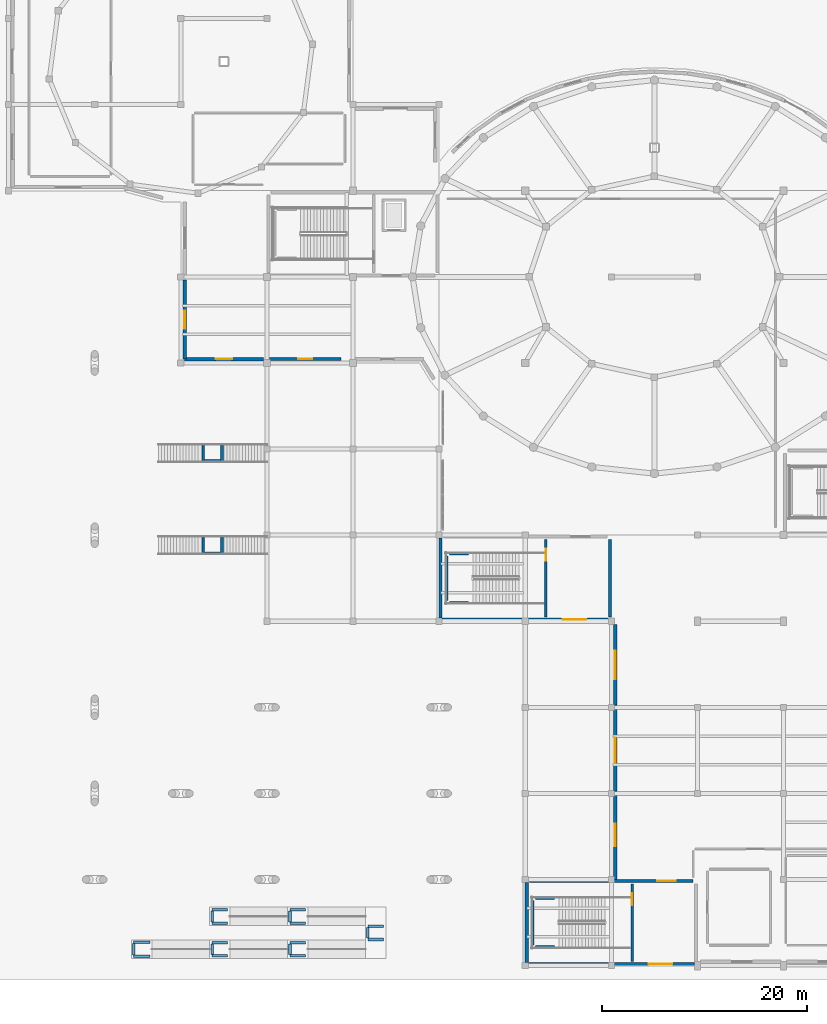
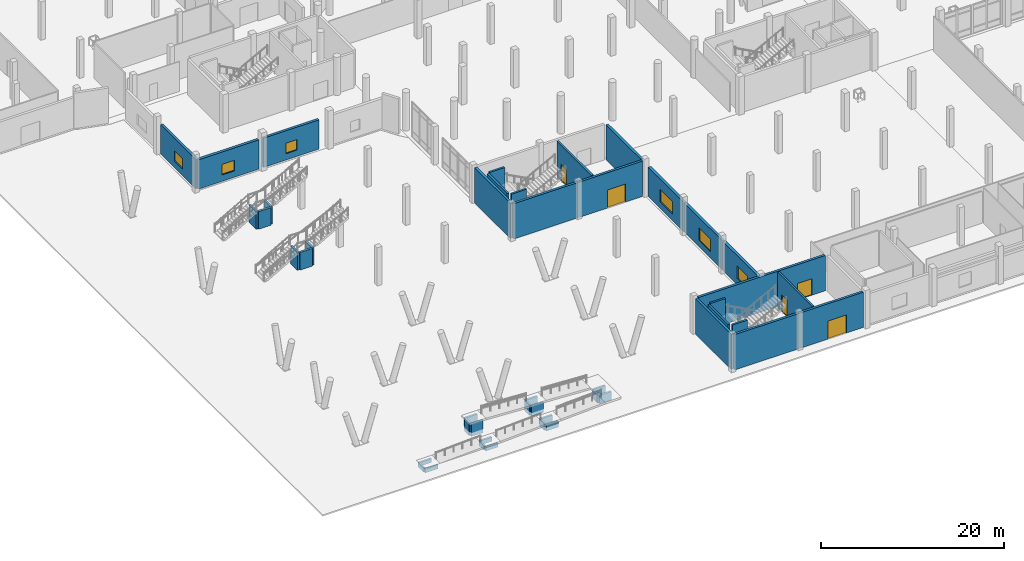
# One storey, part 44 of 64: 44 walls, 6 windows, 5 doors, 11 openings.
"""IFC4 building model written with IfcOpenShell, lengths in metres."""

import ifcopenshell
import ifcopenshell.guid

model = None  # the IFC model being written
_history = None  # IfcOwnerHistory: only IFC2X3 demands one
_inside = {}  # id of a spatial element -> (the spatial element, [elements in it])
_under = {}  # id of a project, library or spatial element -> (it, [spatial elements below it])
_declared = {}  # id of a project -> (the project, [libraries it declares])
_typed = {}  # id of a type object -> (the type object, [elements of that type])
_made_of = {}  # id of a material, layer set ... -> (it, [elements and type objects made of it])


def new_model(schema):
    """Start an empty IFC model of exactly this schema.

    Asked for "IFC4X3", IfcOpenShell would pick the latest addendum, in which some entities
    have other attributes; the version numbers below select the first issue.
    IFC2X3 requires an IfcOwnerHistory on every rooted entity: one is made here for all.
    """
    global model, _history
    if schema == "IFC4X3":
        model = ifcopenshell.file(schema_version=(4, 3, 0, 0))
    else:
        model = ifcopenshell.file(schema=schema)
    _inside.clear()
    _under.clear()
    _declared.clear()
    _typed.clear()
    _made_of.clear()
    _history = None
    if model.schema == "IFC2X3":
        org = make("IfcOrganization", Name="unknown")
        user = make(
            "IfcPersonAndOrganization",
            ThePerson=make("IfcPerson", FamilyName="unknown"),
            TheOrganization=org,
        )
        app = make(
            "IfcApplication",
            ApplicationDeveloper=org,
            Version="unknown",
            ApplicationFullName="unknown",
            ApplicationIdentifier="unknown",
        )
        _history = make(
            "IfcOwnerHistory",
            OwningUser=user,
            OwningApplication=app,
            ChangeAction="ADDED",
            CreationDate=0,
        )
    return model


def make(cls, **values):
    """One entity of the class cls with the attributes given. An attribute that is None is left unset."""
    return model.create_entity(
        cls, **{name: value for name, value in values.items() if value is not None}
    )


def rooted(cls, **values):
    """An entity with a GlobalId (a new one), such as an element, a storey or a relation."""
    return make(cls, GlobalId=ifcopenshell.guid.new(), OwnerHistory=_history, **values)


def si_unit(unit_type, name, prefix=None):
    """IfcSIUnit, for example si_unit("LENGTHUNIT", "METRE", prefix="MILLI")."""
    return make("IfcSIUnit", UnitType=unit_type, Prefix=prefix, Name=name)


def derived_unit(unit_type, elements):
    """IfcDerivedUnit: a product of units, each with its exponent."""
    return make(
        "IfcDerivedUnit",
        Elements=[
            make("IfcDerivedUnitElement", Unit=unit, Exponent=power)
            for unit, power in elements
        ],
        UnitType=unit_type,
    )


def assignment(units):
    """IfcUnitAssignment: the units of a project."""
    return None if units is None else make("IfcUnitAssignment", Units=units)


def point(xyz):
    """IfcCartesianPoint."""
    return None if xyz is None else make("IfcCartesianPoint", Coordinates=xyz)


def direction(xyz):
    """IfcDirection."""
    return None if xyz is None else make("IfcDirection", DirectionRatios=xyz)


def frame(location, z_axis=None, x_axis=None):
    """IfcAxis2Placement3D, a coordinate frame: its origin and axes. An axis left out is left unset."""
    return make(
        "IfcAxis2Placement3D",
        Location=point(location),
        Axis=direction(z_axis),
        RefDirection=direction(x_axis),
    )


def frame_2d(location, x_axis=None):
    """IfcAxis2Placement2D, a coordinate frame in the plane: its origin and x axis."""
    return make(
        "IfcAxis2Placement2D", Location=point(location), RefDirection=direction(x_axis)
    )


def origin():
    """The frame at (0, 0, 0) with its axes left unset."""
    return frame((0.0, 0.0, 0.0))


def place(relative_to, where):
    """IfcLocalPlacement: puts the frame where relative to a parent placement (None: the world)."""
    return make(
        "IfcLocalPlacement", PlacementRelTo=relative_to, RelativePlacement=where
    )


def context(
    kind, dimensions, precision=None, world=None, true_north=None, identifier=None
):
    """IfcGeometricRepresentationContext, for example the 3D "Model" context."""
    return make(
        "IfcGeometricRepresentationContext",
        ContextIdentifier=identifier,
        ContextType=kind,
        CoordinateSpaceDimension=dimensions,
        Precision=precision,
        WorldCoordinateSystem=world,
        TrueNorth=true_north,
    )


def subcontext(parent, identifier, kind, view, scale=None):
    """IfcGeometricRepresentationSubContext, for example "Body" below "Model"."""
    return make(
        "IfcGeometricRepresentationSubContext",
        ContextIdentifier=identifier,
        ContextType=kind,
        ParentContext=parent,
        TargetScale=scale,
        TargetView=view,
    )


def project(units=None, contexts=None):
    """IfcProject with its units and contexts."""
    return rooted(
        "IfcProject",
        Name="project",
        RepresentationContexts=contexts,
        UnitsInContext=assignment(units),
    )


def spatial(cls, under=None, at=None, **own):
    """A site, building, storey or space (cls), placed at a placement, below another one or the project."""
    s = rooted(cls, ObjectPlacement=at, **own)
    if under is not None:
        _under.setdefault(under.id(), (under, []))[1].append(s)
    return s


def profile(cls, at=None, kind="AREA", **sizes):
    """A parametric profile (cls). Its sizes go by their IFC names, for example OverallWidth=200.0."""
    return make(cls, ProfileType=kind, Position=at, **sizes)


def rectangle(**sizes):
    """IfcRectangleProfileDef."""
    return profile("IfcRectangleProfileDef", **sizes)


def extrude(swept, where, along, depth):
    """IfcExtrudedAreaSolid: the profile swept, set in the frame where, extruded along a direction by depth."""
    return make(
        "IfcExtrudedAreaSolid",
        SweptArea=swept,
        Position=where,
        ExtrudedDirection=direction(along),
        Depth=depth,
    )


def shape(context_of_items, identifier, shape_type, items):
    """IfcShapeRepresentation: the items that make up one representation, for example the "Body"."""
    return make(
        "IfcShapeRepresentation",
        ContextOfItems=context_of_items,
        RepresentationIdentifier=identifier,
        RepresentationType=shape_type,
        Items=items,
    )


def material(Name=None, Category=None):
    """IfcMaterial."""
    return make("IfcMaterial", Name=Name, Category=Category)


def layer(
    of_material, thickness, ventilated=None, Name=None, Category=None, Priority=None
):
    """IfcMaterialLayer: one layer of a wall or slab, of a material (None: an air gap)."""
    return make(
        "IfcMaterialLayer",
        Material=of_material,
        LayerThickness=thickness,
        IsVentilated=ventilated,
        Name=Name,
        Category=Category,
        Priority=Priority,
    )


def layer_set(layers, Name=None):
    """IfcMaterialLayerSet."""
    return make("IfcMaterialLayerSet", MaterialLayers=layers, LayerSetName=Name)


def made_of(thing, what):
    """Note that an element or type object is made of a material, layer set ...; save() writes the relation."""
    if what is not None:
        _made_of.setdefault(what.id(), (what, []))[1].append(thing)
    return thing


def type_object(cls, material=None, **own):
    """A type object (cls), such as IfcWallType, which elements share."""
    return made_of(rooted(cls, **own), material)


def element(
    cls,
    number,
    at=None,
    inside=None,
    cuts=None,
    type_object=None,
    material=None,
    context=None,
    identifier="Body",
    shape_type=None,
    held_by="IfcProductDefinitionShape",
    body=None,
    shapes=None,
    **own,
):
    """One element of the class cls, such as IfcWall. Its Tag is "e" and its number.

    at: its placement. inside: the storey or other place that contains it. cuts: it is an
    opening in that element (IfcRelVoidsElement). A single representation is given by context,
    identifier, shape_type and body (its items); several are given by shapes. held_by: the class
    of the entity that holds the representations. save() writes the other relations.
    """
    e = rooted(cls, Tag="e%d" % number, ObjectPlacement=at, **own)
    if body is not None:
        shapes = [shape(context, identifier, shape_type, body)]
    if shapes is not None:
        e.Representation = make(held_by, Representations=shapes)
    if inside is not None:
        _inside.setdefault(inside.id(), (inside, []))[1].append(e)
    if cuts is not None:
        rooted(
            "IfcRelVoidsElement", RelatingBuildingElement=cuts, RelatedOpeningElement=e
        )
    if type_object is not None:
        _typed.setdefault(type_object.id(), (type_object, []))[1].append(e)
    return made_of(e, material)


def fill(opening, filler):
    """IfcRelFillsElement: the door or window that sits in an opening."""
    return rooted(
        "IfcRelFillsElement",
        RelatingOpeningElement=opening,
        RelatedBuildingElement=filler,
    )


def aggregate(whole, parts):
    """IfcRelAggregates: a whole, such as a stair, and the parts it consists of."""
    return rooted("IfcRelAggregates", RelatingObject=whole, RelatedObjects=parts)


def save(model, path):
    """Write the relations noted so far, then the file.

    IfcRelAggregates (storeys below a building ...), IfcRelContainedInSpatialStructure (elements
    in a storey), IfcRelDefinesByType, IfcRelAssociatesMaterial and IfcRelDeclares: one each for
    every whole, place, type object, material and project.
    """
    for whole, parts in _under.values():
        aggregate(whole, parts)
    for where, things in _inside.values():
        rooted(
            "IfcRelContainedInSpatialStructure",
            RelatedElements=things,
            RelatingStructure=where,
        )
    for kind, things in _typed.values():
        rooted("IfcRelDefinesByType", RelatedObjects=things, RelatingType=kind)
    for what, things in _made_of.values():
        rooted("IfcRelAssociatesMaterial", RelatedObjects=things, RelatingMaterial=what)
    for by, libraries in _declared.values():
        rooted("IfcRelDeclares", RelatingContext=by, RelatedDefinitions=libraries)
    model.write(path)


model = new_model("IFC4")

# Units and contexts
model_context = context("Model", 3, precision=1e-05, world=origin(), true_north=direction((0.0, 1.0)))
body_context = subcontext(model_context, "Body", "Model", "MODEL_VIEW")
ifc_project = project(units=[si_unit("LENGTHUNIT", "METRE"), si_unit("AREAUNIT", "SQUARE_METRE"), si_unit("VOLUMEUNIT", "CUBIC_METRE"), si_unit("PLANEANGLEUNIT", "RADIAN"), si_unit("MASSUNIT", "GRAM", prefix="KILO"), derived_unit("THERMALTRANSMITTANCEUNIT", [(si_unit("POWERUNIT", "WATT"), 1), (si_unit("LENGTHUNIT", "METRE"), -2), (si_unit("THERMODYNAMICTEMPERATUREUNIT", "KELVIN"), -1)])], contexts=[model_context])

# Site, building, storey
site_placement = place(None, origin())
site = spatial("IfcSite", under=ifc_project, at=site_placement, CompositionType="ELEMENT")
building_placement = place(site_placement, origin())
building = spatial("IfcBuilding", under=site, at=building_placement, Name="Elbkamm Science Centre", CompositionType="ELEMENT")
storey_placement = place(building_placement, origin())
storey = spatial("IfcBuildingStorey", under=building, at=storey_placement, Name="L00", CompositionType="ELEMENT", Elevation=0.0)

# Walls
ifc_material_1 = material(Name="Reinforced concrete C40/50", Category="concrete")
ifc_layer_1 = layer(ifc_material_1, 0.25)
ifc_layer_set_1 = layer_set([ifc_layer_1], Name="Reinforced concrete C40/50")
wall_type_1 = type_object("IfcWallType", Name="WL-CORE-250", PredefinedType="SHEAR", material=ifc_layer_set_1)
wall_1_placement = place(storey_placement, frame((42.739990234375, 35.6201171875, 0.0), z_axis=(0.0, 0.0, 1.0), x_axis=(0.0, 1.0, 0.0)))
element("IfcWall", 1, at=wall_1_placement, inside=storey, type_object=wall_type_1, Name="L00 ST-C5 Shaft Bearing Wall W", PredefinedType="SHEAR", context=body_context, shape_type="SweptSolid", body=[
    extrude(rectangle(XDim=4.35986328125, YDim=0.25, at=frame_2d((2.179931640625, 0.0))), origin(), (0.0, 0.0, 1.0), 4.699951171875),
])
for number, where, z_axis, x_axis, name in (
    (2, (42.989990234375, 35.419921875, 0.0), (0.0, 0.0, 1.0), (1.0, 0.0, 0.0), "L00 ST-C5 Shaft Bearing Wall S"),
    (3, (42.989990234375, 40.179931640625, 0.0), (0.0, 0.0, 1.0), (1.0, 0.0, 0.0), "L00 ST-C5 Shaft Bearing Wall N"),
):
    element("IfcWall", number, at=place(storey_placement, frame(where, z_axis=z_axis, x_axis=x_axis)), inside=storey, type_object=wall_type_1, Name=name, PredefinedType="SHEAR", context=body_context, shape_type="SweptSolid", body=[
        extrude(rectangle(XDim=1.889892578125, YDim=0.25, at=frame_2d((0.94482421875, 0.0))), origin(), (0.0, 0.0, 1.0), 4.699951171875),
    ])

# Wall, opening, door
wall_2_placement = place(storey_placement, frame((52.419921875, 34.02001953125, 0.0), z_axis=(0.0, 0.0, 1.0), x_axis=(0.0, 1.0, 0.0)))
wall_2 = element("IfcWall", 4, at=wall_2_placement, inside=storey, type_object=wall_type_1, Name="L00 C5 Stairwell Compartment Wall", PredefinedType="SHEAR", context=body_context, shape_type="SweptSolid", body=[
    extrude(rectangle(XDim=7.56005859375, YDim=0.25, at=frame_2d((3.780029296875, 0.0))), origin(), (0.0, 0.0, 1.0), 4.699951171875),
])
opening_1_placement = place(wall_2_placement, frame((5.4599609375, 0.0, 0.0)))
opening_1 = element("IfcOpeningElement", 5, at=opening_1_placement, cuts=wall_2, Name="Opening DC-02", PredefinedType="OPENING", context=body_context, shape_type="SweptSolid", body=[
    extrude(rectangle(XDim=1.199951171875, YDim=2.199951171875, at=frame_2d((0.60009765625, 1.10009765625))), frame((0.0, 0.136962890625, 0.0), z_axis=(0.0, -1.0, 0.0), x_axis=(1.0, 0.0, 0.0)), (0.0, 0.0, 1.0), 0.27392578125),
])
ifc_material_2 = material(Name="Fire-rated steel acoustic door", Category="steel")
ifc_layer_2 = layer(ifc_material_2, 0.050048828125)
ifc_layer_set_2 = layer_set([ifc_layer_2], Name="Fire-rated steel acoustic door")
door_type_1 = type_object("IfcDoorType", Name="DR-CORE-1200x2200", OperationType="NOTDEFINED", PredefinedType="DOOR", material=ifc_layer_set_2)
door_1_placement = place(opening_1_placement, origin())
door_1 = element("IfcDoor", 6, at=door_1_placement, inside=storey, type_object=door_type_1, Name="L00 ST-C5 Stairwell Fire Door", OperationType="SINGLE_SWING_RIGHT", OverallHeight=2.199951171875, OverallWidth=1.199951171875, PredefinedType="DOOR", context=body_context, shape_type="SweptSolid", body=[
    extrude(rectangle(XDim=1.199951171875, YDim=2.199951171875, at=frame_2d((0.60009765625, 1.10009765625))), frame((0.0, 0.02490234375, 0.0), z_axis=(0.0, -1.0, 0.0), x_axis=(1.0, 0.0, 0.0)), (0.0, 0.0, 1.0), 0.050048828125),
])
fill(opening_1, door_1)

# Walls
wall_3_placement = place(storey_placement, frame((51.139892578125, 2.02001953125, 0.0), z_axis=(0.0, 0.0, 1.0), x_axis=(0.0, 1.0, 0.0)))
element("IfcWall", 7, at=wall_3_placement, inside=storey, type_object=wall_type_1, Name="L00 ST-C6 Shaft Bearing Wall W", PredefinedType="SHEAR", context=body_context, shape_type="SweptSolid", body=[
    extrude(rectangle(XDim=4.35986328125, YDim=0.25, at=frame_2d((2.179931640625, 0.0))), origin(), (0.0, 0.0, 1.0), 4.699951171875),
])
for number, where, z_axis, x_axis, name in (
    (8, (51.389892578125, 1.820068359375, 0.0), (0.0, 0.0, 1.0), (1.0, 0.0, 0.0), "L00 ST-C6 Shaft Bearing Wall S"),
    (9, (51.389892578125, 6.580078125, 0.0), (0.0, 0.0, 1.0), (1.0, 0.0, 0.0), "L00 ST-C6 Shaft Bearing Wall N"),
):
    element("IfcWall", number, at=place(storey_placement, frame(where, z_axis=z_axis, x_axis=x_axis)), inside=storey, type_object=wall_type_1, Name=name, PredefinedType="SHEAR", context=body_context, shape_type="SweptSolid", body=[
        extrude(rectangle(XDim=1.89013671875, YDim=0.25, at=frame_2d((0.945068359375, 0.0))), origin(), (0.0, 0.0, 1.0), 4.699951171875),
    ])

# Wall, opening, door
wall_4_placement = place(storey_placement, frame((60.820068359375, 0.419921875, 0.0), z_axis=(0.0, 0.0, 1.0), x_axis=(0.0, 1.0, 0.0)))
wall_4 = element("IfcWall", 10, at=wall_4_placement, inside=storey, type_object=wall_type_1, Name="L00 C6 Stairwell Compartment Wall", PredefinedType="SHEAR", context=body_context, shape_type="SweptSolid", body=[
    extrude(rectangle(XDim=7.56005859375, YDim=0.25, at=frame_2d((3.780029296875, 0.0))), origin(), (0.0, 0.0, 1.0), 4.699951171875),
])
opening_2_placement = place(wall_4_placement, frame((5.4599609375, 0.0, 0.0)))
opening_2 = element("IfcOpeningElement", 11, at=opening_2_placement, cuts=wall_4, Name="Opening DC-02", PredefinedType="OPENING", context=body_context, shape_type="SweptSolid", body=[
    extrude(rectangle(XDim=1.199951171875, YDim=2.199951171875, at=frame_2d((0.60009765625, 1.10009765625))), frame((0.0, 0.136962890625, 0.0), z_axis=(0.0, -1.0, 0.0), x_axis=(1.0, 0.0, 0.0)), (0.0, 0.0, 1.0), 0.27392578125),
])
door_2_placement = place(opening_2_placement, origin())
door_2 = element("IfcDoor", 12, at=door_2_placement, inside=storey, type_object=door_type_1, Name="L00 ST-C6 Stairwell Fire Door", OperationType="SINGLE_SWING_LEFT", OverallHeight=2.199951171875, OverallWidth=1.199951171875, PredefinedType="DOOR", context=body_context, shape_type="SweptSolid", body=[
    extrude(rectangle(XDim=1.199951171875, YDim=2.199951171875, at=frame_2d((0.60009765625, 1.10009765625))), frame((0.0, 0.02490234375, 0.0), z_axis=(0.0, -1.0, 0.0), x_axis=(1.0, 0.0, 0.0)), (0.0, 0.0, 1.0), 0.050048828125),
])
fill(opening_2, door_2)

# Walls
for number, where, z_axis, x_axis, name in (
    (13, (18.97998046875, 40.25, 0.0), (0.0, 0.0, 1.0), (0.0, 1.0, 0.0), "Warft Stair 1 Landing Support Wall W"),
    (14, (20.820068359375, 40.25, 0.0), (0.0, 0.0, 1.0), (0.0, 1.0, 0.0), "Warft Stair 1 Landing Support Wall E"),
):
    element("IfcWall", number, at=place(storey_placement, frame(where, z_axis=z_axis, x_axis=x_axis)), inside=storey, type_object=wall_type_1, Name=name, PredefinedType="SHEAR", context=body_context, shape_type="SweptSolid", body=[
        extrude(rectangle(XDim=1.5, YDim=0.25, at=frame_2d((0.75, 0.0))), origin(), (0.0, 0.0, 1.0), 2.35009765625),
    ])
wall_5_placement = place(storey_placement, frame((19.10498046875, 40.25, 0.0), z_axis=(0.0, 0.0, 1.0), x_axis=(1.0, 0.0, 0.0)))
element("IfcWall", 15, at=wall_5_placement, inside=storey, type_object=wall_type_1, Name="Warft Stair 1 Landing Support Wall S", PredefinedType="SHEAR", context=body_context, shape_type="SweptSolid", body=[
    extrude(rectangle(XDim=1.590087890625, YDim=0.25, at=frame_2d((0.794921875, 0.0))), origin(), (0.0, 0.0, 1.0), 2.35009765625),
])
for number, where, z_axis, x_axis, name in (
    (16, (18.97998046875, 49.25, 0.0), (0.0, 0.0, 1.0), (0.0, 1.0, 0.0), "Warft Stair 2 Landing Support Wall W"),
    (17, (20.820068359375, 49.25, 0.0), (0.0, 0.0, 1.0), (0.0, 1.0, 0.0), "Warft Stair 2 Landing Support Wall E"),
):
    element("IfcWall", number, at=place(storey_placement, frame(where, z_axis=z_axis, x_axis=x_axis)), inside=storey, type_object=wall_type_1, Name=name, PredefinedType="SHEAR", context=body_context, shape_type="SweptSolid", body=[
        extrude(rectangle(XDim=1.5, YDim=0.25, at=frame_2d((0.75, 0.0))), origin(), (0.0, 0.0, 1.0), 2.35009765625),
    ])
wall_6_placement = place(storey_placement, frame((19.10498046875, 49.25, 0.0), z_axis=(0.0, 0.0, 1.0), x_axis=(1.0, 0.0, 0.0)))
element("IfcWall", 18, at=wall_6_placement, inside=storey, type_object=wall_type_1, Name="Warft Stair 2 Landing Support Wall S", PredefinedType="SHEAR", context=body_context, shape_type="SweptSolid", body=[
    extrude(rectangle(XDim=1.590087890625, YDim=0.25, at=frame_2d((0.794921875, 0.0))), origin(), (0.0, 0.0, 1.0), 2.35009765625),
])
for number, where, z_axis, x_axis, name in (
    (19, (12.199951171875, 0.89990234375, -0.699951171875), (0.0, 0.0, 1.0), (1.0, 0.0, 0.0), "Ramp Entry Support Wall A"),
    (20, (12.199951171875, 2.300048828125, -0.699951171875), (0.0, 0.0, 1.0), (1.0, 0.0, 0.0), "Ramp Entry Support Wall B"),
):
    element("IfcWall", number, at=place(storey_placement, frame(where, z_axis=z_axis, x_axis=x_axis)), inside=storey, type_object=wall_type_1, Name=name, PredefinedType="SHEAR", context=body_context, shape_type="SweptSolid", body=[
        extrude(rectangle(XDim=1.60009765625, YDim=0.25, at=frame_2d((0.800048828125, 0.0))), origin(), (0.0, 0.0, 1.0), 0.5),
    ])
wall_7_placement = place(storey_placement, frame((12.199951171875, 1.02490234375, -0.699951171875), z_axis=(0.0, 0.0, 1.0), x_axis=(0.0, 1.0, 0.0)))
element("IfcWall", 21, at=wall_7_placement, inside=storey, type_object=wall_type_1, Name="Ramp Entry Support Wall C", PredefinedType="SHEAR", context=body_context, shape_type="SweptSolid", body=[
    extrude(rectangle(XDim=1.150146484375, YDim=0.25, at=frame_2d((0.5751953125, 0.0))), origin(), (0.0, 0.0, 1.0), 0.5),
])
for number, where, z_axis, x_axis, name in (
    (22, (19.85009765625, 0.949951171875, -0.5), (0.0, 0.0, 1.0), (1.0, 0.0, 0.0), "RMP-01 Landing Support Wall A"),
    (23, (19.85009765625, 2.25, -0.5), (0.0, 0.0, 1.0), (1.0, 0.0, 0.0), "RMP-01 Landing Support Wall B"),
):
    element("IfcWall", number, at=place(storey_placement, frame(where, z_axis=z_axis, x_axis=x_axis)), inside=storey, type_object=wall_type_1, Name=name, PredefinedType="SHEAR", context=body_context, shape_type="SweptSolid", body=[
        extrude(rectangle(XDim=1.5, YDim=0.25, at=frame_2d((0.75, 0.0))), origin(), (0.0, 0.0, 1.0), 0.5400390625),
    ])
wall_8_placement = place(storey_placement, frame((19.85009765625, 1.074951171875, -0.5), z_axis=(0.0, 0.0, 1.0), x_axis=(0.0, 1.0, 0.0)))
element("IfcWall", 24, at=wall_8_placement, inside=storey, type_object=wall_type_1, Name="RMP-01 Landing Support Wall C", PredefinedType="SHEAR", context=body_context, shape_type="SweptSolid", body=[
    extrude(rectangle(XDim=1.050048828125, YDim=0.25, at=frame_2d((0.52490234375, 0.0))), origin(), (0.0, 0.0, 1.0), 0.5400390625),
])
for number, where, z_axis, x_axis, name in (
    (25, (27.449951171875, 0.949951171875, -0.5), (0.0, 0.0, 1.0), (1.0, 0.0, 0.0), "RMP-02 Landing Support Wall A"),
    (26, (27.449951171875, 2.25, -0.5), (0.0, 0.0, 1.0), (1.0, 0.0, 0.0), "RMP-02 Landing Support Wall B"),
):
    element("IfcWall", number, at=place(storey_placement, frame(where, z_axis=z_axis, x_axis=x_axis)), inside=storey, type_object=wall_type_1, Name=name, PredefinedType="SHEAR", context=body_context, shape_type="SweptSolid", body=[
        extrude(rectangle(XDim=1.5, YDim=0.25, at=frame_2d((0.75, 0.0))), origin(), (0.0, 0.0, 1.0), 0.820068359375),
    ])
wall_9_placement = place(storey_placement, frame((27.449951171875, 1.074951171875, -0.5), z_axis=(0.0, 0.0, 1.0), x_axis=(0.0, 1.0, 0.0)))
element("IfcWall", 27, at=wall_9_placement, inside=storey, type_object=wall_type_1, Name="RMP-02 Landing Support Wall C", PredefinedType="SHEAR", context=body_context, shape_type="SweptSolid", body=[
    extrude(rectangle(XDim=1.050048828125, YDim=0.25, at=frame_2d((0.52490234375, 0.0))), origin(), (0.0, 0.0, 1.0), 0.820068359375),
])
for number, where, z_axis, x_axis, name in (
    (28, (35.050048828125, 2.550048828125, -0.5), (0.0, 0.0, 1.0), (1.0, 0.0, 0.0), "RMP-03 Landing Support Wall A"),
    (29, (35.050048828125, 3.85009765625, -0.5), (0.0, 0.0, 1.0), (1.0, 0.0, 0.0), "RMP-03 Landing Support Wall B"),
):
    element("IfcWall", number, at=place(storey_placement, frame(where, z_axis=z_axis, x_axis=x_axis)), inside=storey, type_object=wall_type_1, Name=name, PredefinedType="SHEAR", context=body_context, shape_type="SweptSolid", body=[
        extrude(rectangle(XDim=1.5, YDim=0.25, at=frame_2d((0.75, 0.0))), origin(), (0.0, 0.0, 1.0), 1.10009765625),
    ])
wall_10_placement = place(storey_placement, frame((35.050048828125, 2.675048828125, -0.5), z_axis=(0.0, 0.0, 1.0), x_axis=(0.0, 1.0, 0.0)))
element("IfcWall", 30, at=wall_10_placement, inside=storey, type_object=wall_type_1, Name="RMP-03 Landing Support Wall C", PredefinedType="SHEAR", context=body_context, shape_type="SweptSolid", body=[
    extrude(rectangle(XDim=1.050048828125, YDim=0.25, at=frame_2d((0.52490234375, 0.0))), origin(), (0.0, 0.0, 1.0), 1.10009765625),
])
for number, where, z_axis, x_axis, name in (
    (31, (27.449951171875, 4.14990234375, -0.5), (0.0, 0.0, 1.0), (1.0, 0.0, 0.0), "RMP-04 Landing Support Wall A"),
    (32, (27.449951171875, 5.449951171875, -0.5), (0.0, 0.0, 1.0), (1.0, 0.0, 0.0), "RMP-04 Landing Support Wall B"),
):
    element("IfcWall", number, at=place(storey_placement, frame(where, z_axis=z_axis, x_axis=x_axis)), inside=storey, type_object=wall_type_1, Name=name, PredefinedType="SHEAR", context=body_context, shape_type="SweptSolid", body=[
        extrude(rectangle(XDim=1.5, YDim=0.25, at=frame_2d((0.75, 0.0))), origin(), (0.0, 0.0, 1.0), 1.3798828125),
    ])
wall_11_placement = place(storey_placement, frame((27.449951171875, 4.27490234375, -0.5), z_axis=(0.0, 0.0, 1.0), x_axis=(0.0, 1.0, 0.0)))
element("IfcWall", 33, at=wall_11_placement, inside=storey, type_object=wall_type_1, Name="RMP-04 Landing Support Wall C", PredefinedType="SHEAR", context=body_context, shape_type="SweptSolid", body=[
    extrude(rectangle(XDim=1.050048828125, YDim=0.25, at=frame_2d((0.52490234375, 0.0))), origin(), (0.0, 0.0, 1.0), 1.3798828125),
])
for number, where, z_axis, x_axis, name in (
    (34, (19.85009765625, 4.14990234375, -0.5), (0.0, 0.0, 1.0), (1.0, 0.0, 0.0), "RMP-05 Landing Support Wall A"),
    (35, (19.85009765625, 5.449951171875, -0.5), (0.0, 0.0, 1.0), (1.0, 0.0, 0.0), "RMP-05 Landing Support Wall B"),
):
    element("IfcWall", number, at=place(storey_placement, frame(where, z_axis=z_axis, x_axis=x_axis)), inside=storey, type_object=wall_type_1, Name=name, PredefinedType="SHEAR", context=body_context, shape_type="SweptSolid", body=[
        extrude(rectangle(XDim=1.5, YDim=0.25, at=frame_2d((0.75, 0.0))), origin(), (0.0, 0.0, 1.0), 1.659912109375),
    ])
wall_12_placement = place(storey_placement, frame((19.85009765625, 4.27490234375, -0.5), z_axis=(0.0, 0.0, 1.0), x_axis=(0.0, 1.0, 0.0)))
element("IfcWall", 36, at=wall_12_placement, inside=storey, type_object=wall_type_1, Name="RMP-05 Landing Support Wall C", PredefinedType="SHEAR", context=body_context, shape_type="SweptSolid", body=[
    extrude(rectangle(XDim=1.050048828125, YDim=0.25, at=frame_2d((0.52490234375, 0.0))), origin(), (0.0, 0.0, 1.0), 1.659912109375),
])

# Wall, opening, door
ifc_layer_3 = layer(ifc_material_1, 0.300048828125)
ifc_layer_set_3 = layer_set([ifc_layer_3], Name="Reinforced concrete C40/50")
wall_type_2 = type_object("IfcWallType", Name="WL-CORE-300", PredefinedType="SHEAR", material=ifc_layer_set_3)
wall_13_placement = place(storey_placement, frame((42.302001953125, 33.75, 0.0), z_axis=(0.0, 0.0, 1.0), x_axis=(1.0, 0.0, 0.0)))
wall_13 = element("IfcWall", 37, at=wall_13_placement, inside=storey, type_object=wall_type_2, Name="L00 Core C5 Southwest Plinth Assembly Egress Core Shear Wall S", PredefinedType="SHEAR", context=body_context, shape_type="SweptSolid", body=[
    extrude(rectangle(XDim=16.196044921875, YDim=0.300048828125, at=frame_2d((8.09814453125, 0.0))), origin(), (0.0, 0.0, 1.0), 4.699951171875),
])
opening_3_placement = place(wall_13_placement, frame((11.748046875, 0.0, 0.0)))
opening_3 = element("IfcOpeningElement", 38, at=opening_3_placement, cuts=wall_13, Name="Opening EX-23", PredefinedType="OPENING", context=body_context, shape_type="SweptSolid", body=[
    extrude(rectangle(XDim=2.300048828125, YDim=2.39990234375, at=frame_2d((1.14990234375, 1.199951171875))), frame((0.0, 0.162109375, 0.0), z_axis=(0.0, -1.0, 0.0), x_axis=(1.0, 0.0, 0.0)), (0.0, 0.0, 1.0), 0.323974609375),
])
ifc_material_3 = material(Name="Powder-coated aluminium and laminated glass", Category="aluminium")
ifc_layer_4 = layer(ifc_material_3, 0.050048828125)
ifc_layer_set_4 = layer_set([ifc_layer_4], Name="Powder-coated aluminium and laminated glass")
door_type_2 = type_object("IfcDoorType", Name="DR-EXIT-2300x2400", OperationType="DOUBLE_DOOR_SINGLE_SWING", PredefinedType="DOOR", material=ifc_layer_set_4)
door_3_placement = place(opening_3_placement, frame((2.300048828125, 0.0, 0.0), z_axis=(0.0, 0.0, 1.0), x_axis=(-1.0, 0.0, 0.0)))
door_3 = element("IfcDoor", 39, at=door_3_placement, inside=storey, type_object=door_type_2, Name="Core C5 Direct Final Exit Door EX-23", OperationType="DOUBLE_DOOR_SINGLE_SWING", OverallHeight=2.39990234375, OverallWidth=2.300048828125, PredefinedType="DOOR", context=body_context, shape_type="SweptSolid", body=[
    extrude(rectangle(XDim=2.300048828125, YDim=2.39990234375, at=frame_2d((1.14990234375, 1.199951171875))), frame((0.0, 0.02490234375, 0.0), z_axis=(0.0, -1.0, 0.0), x_axis=(1.0, 0.0, 0.0)), (0.0, 0.0, 1.0), 0.050048828125),
])
fill(opening_3, door_3)

# Walls
wall_14_placement = place(storey_placement, frame((42.14990234375, 33.902099609375, 0.0), z_axis=(0.0, 0.0, 1.0), x_axis=(0.0, 1.0, 0.0)))
element("IfcWall", 40, at=wall_14_placement, inside=storey, type_object=wall_type_2, Name="L00 Core C5 Southwest Plinth Assembly Egress Core Shear Wall W", PredefinedType="SHEAR", context=body_context, shape_type="SweptSolid", body=[
    extrude(rectangle(XDim=7.7958984375, YDim=0.300048828125, at=frame_2d((3.89794921875, 0.0))), origin(), (0.0, 0.0, 1.0), 4.699951171875),
])
wall_15_placement = place(storey_placement, frame((58.64990234375, 34.02001953125, 0.0), z_axis=(0.0, 0.0, 1.0), x_axis=(0.0, 1.0, 0.0)))
element("IfcWall", 41, at=wall_15_placement, inside=storey, type_object=wall_type_2, Name="L00 Core C5 Southwest Plinth Assembly Egress Core Shear Wall E", PredefinedType="SHEAR", context=body_context, shape_type="SweptSolid", body=[
    extrude(rectangle(XDim=7.56005859375, YDim=0.300048828125, at=frame_2d((3.780029296875, 0.0))), origin(), (0.0, 0.0, 1.0), 4.699951171875),
])

# Wall, opening, door
wall_16_placement = place(storey_placement, frame((50.701904296875, 0.14990234375, 0.0), z_axis=(0.0, 0.0, 1.0), x_axis=(1.0, 0.0, 0.0)))
wall_16 = element("IfcWall", 42, at=wall_16_placement, inside=storey, type_object=wall_type_2, Name="L00 Core C6 South Theatre Assembly Egress Core Shear Wall S", PredefinedType="SHEAR", context=body_context, shape_type="SweptSolid", body=[
    extrude(rectangle(XDim=16.196044921875, YDim=0.300048828125, at=frame_2d((8.09814453125, 0.0))), origin(), (0.0, 0.0, 1.0), 4.699951171875),
])
opening_4_placement = place(wall_16_placement, frame((11.748046875, 0.0, 0.0)))
opening_4 = element("IfcOpeningElement", 43, at=opening_4_placement, cuts=wall_16, Name="Opening EX-24", PredefinedType="OPENING", context=body_context, shape_type="SweptSolid", body=[
    extrude(rectangle(XDim=2.300048828125, YDim=2.39990234375, at=frame_2d((1.14990234375, 1.199951171875))), frame((0.0, 0.162109375, 0.0), z_axis=(0.0, -1.0, 0.0), x_axis=(1.0, 0.0, 0.0)), (0.0, 0.0, 1.0), 0.323974609375),
])
door_4_placement = place(opening_4_placement, frame((2.300048828125, 0.0, 0.0), z_axis=(0.0, 0.0, 1.0), x_axis=(-1.0, 0.0, 0.0)))
door_4 = element("IfcDoor", 44, at=door_4_placement, inside=storey, type_object=door_type_2, Name="Core C6 Direct Final Exit Door EX-24", OperationType="DOUBLE_DOOR_SINGLE_SWING", OverallHeight=2.39990234375, OverallWidth=2.300048828125, PredefinedType="DOOR", context=body_context, shape_type="SweptSolid", body=[
    extrude(rectangle(XDim=2.300048828125, YDim=2.39990234375, at=frame_2d((1.14990234375, 1.199951171875))), frame((0.0, 0.02490234375, 0.0), z_axis=(0.0, -1.0, 0.0), x_axis=(1.0, 0.0, 0.0)), (0.0, 0.0, 1.0), 0.050048828125),
])
fill(opening_4, door_4)

wall_17_placement = place(storey_placement, frame((50.820068359375, 8.25, 0.0), z_axis=(0.0, 0.0, 1.0), x_axis=(1.0, 0.0, 0.0)))
wall_17 = element("IfcWall", 45, at=wall_17_placement, inside=storey, type_object=wall_type_2, Name="L00 Core C6 South Theatre Assembly Egress Core Shear Wall N", PredefinedType="SHEAR", context=body_context, shape_type="SweptSolid", body=[
    extrude(rectangle(XDim=15.9599609375, YDim=0.300048828125, at=frame_2d((7.97998046875, 0.0))), origin(), (0.0, 0.0, 1.0), 4.699951171875),
])
opening_5_placement = place(wall_17_placement, frame((12.4599609375, 0.0, 0.0)))
opening_5 = element("IfcOpeningElement", 46, at=opening_5_placement, cuts=wall_17, Name="Opening DC-01", PredefinedType="OPENING", context=body_context, shape_type="SweptSolid", body=[
    extrude(rectangle(XDim=1.800048828125, YDim=2.199951171875, at=frame_2d((0.89990234375, 1.10009765625))), frame((0.0, 0.162109375, 0.0), z_axis=(0.0, -1.0, 0.0), x_axis=(1.0, 0.0, 0.0)), (0.0, 0.0, 1.0), 0.323974609375),
])
ifc_layer_5 = layer(ifc_material_2, 0.050048828125)
ifc_layer_set_5 = layer_set([ifc_layer_5], Name="Fire-rated steel acoustic door")
door_type_3 = type_object("IfcDoorType", Name="DR-CORE-1800x2200", OperationType="DOUBLE_DOOR_SINGLE_SWING", PredefinedType="DOOR", material=ifc_layer_set_5)
door_5_placement = place(opening_5_placement, origin())
door_5 = element("IfcDoor", 47, at=door_5_placement, inside=storey, type_object=door_type_3, Name="L00 C6 Core Lobby Fire Door", OperationType="DOUBLE_DOOR_SINGLE_SWING", OverallHeight=2.199951171875, OverallWidth=1.800048828125, PredefinedType="DOOR", context=body_context, shape_type="SweptSolid", body=[
    extrude(rectangle(XDim=1.800048828125, YDim=2.199951171875, at=frame_2d((0.89990234375, 1.10009765625))), frame((0.0, 0.02490234375, 0.0), z_axis=(0.0, -1.0, 0.0), x_axis=(1.0, 0.0, 0.0)), (0.0, 0.0, 1.0), 0.050048828125),
])
fill(opening_5, door_5)

# Wall
wall_18_placement = place(storey_placement, frame((50.550048828125, 0.302001953125, 0.0), z_axis=(0.0, 0.0, 1.0), x_axis=(0.0, 1.0, 0.0)))
element("IfcWall", 48, at=wall_18_placement, inside=storey, type_object=wall_type_2, Name="L00 Core C6 South Theatre Assembly Egress Core Shear Wall W", PredefinedType="SHEAR", context=body_context, shape_type="SweptSolid", body=[
    extrude(rectangle(XDim=7.7958984375, YDim=0.300048828125, at=frame_2d((3.89794921875, 0.0))), origin(), (0.0, 0.0, 1.0), 4.699951171875),
])

# Wall, opening, window
ifc_material_4 = material(Name="White precast concrete C40/50", Category="concrete")
ifc_layer_6 = layer(ifc_material_4, 0.31005859375)
ifc_layer_set_6 = layer_set([ifc_layer_6], Name="White precast concrete C40/50")
wall_type_3 = type_object("IfcWallType", Name="WL-EXT-310", PredefinedType="SOLIDWALL", material=ifc_layer_set_6)
wall_19_placement = place(storey_placement, frame((59.179931640625, 17.0390625, 0.0), z_axis=(0.0, 0.0, 1.0), x_axis=(0.0, 1.0, 0.0)))
wall_19 = element("IfcWall", 49, at=wall_19_placement, inside=storey, type_object=wall_type_3, Name="L00 Exterior Wall 0153", PredefinedType="SOLIDWALL", context=body_context, shape_type="SweptSolid", body=[
    extrude(rectangle(XDim=8.385009765625, YDim=0.31005859375, at=frame_2d((4.1923828125, 0.0))), origin(), (0.0, 0.0, 1.0), 3.89990234375),
])
opening_6_placement = place(wall_19_placement, frame((2.7109375, 0.0, 0.85009765625)))
opening_6 = element("IfcOpeningElement", 50, at=opening_6_placement, cuts=wall_19, Name="Opening W-19", PredefinedType="OPENING", context=body_context, shape_type="SweptSolid", body=[
    extrude(rectangle(XDim=2.5, YDim=1.699951171875, at=frame_2d((1.25, 0.85009765625))), frame((0.0, 0.1669921875, 0.0), z_axis=(0.0, -1.0, 0.0), x_axis=(1.0, 0.0, 0.0)), (0.0, 0.0, 1.0), 0.333984375),
])
ifc_material_5 = material(Name="Thermally broken aluminium and triple solar glass", Category="aluminium")
ifc_layer_7 = layer(ifc_material_5, 0.06005859375)
ifc_layer_set_7 = layer_set([ifc_layer_7], Name="Thermally broken aluminium and triple solar glass")
window_type_1 = type_object("IfcWindowType", Name="WIN-2500x1700", PartitioningType="DOUBLE_PANEL_VERTICAL", PredefinedType="WINDOW", material=ifc_layer_set_7)
window_1_placement = place(opening_6_placement, origin())
window_1 = element("IfcWindow", 51, at=window_1_placement, inside=storey, type_object=window_type_1, Name="L00 Facade Window 0018", OverallHeight=1.699951171875, OverallWidth=2.5, PartitioningType="SINGLE_PANEL", PredefinedType="WINDOW", context=body_context, shape_type="SweptSolid", body=[
    extrude(rectangle(XDim=2.5, YDim=1.699951171875, at=frame_2d((1.25, 0.85009765625))), frame((0.0, 0.030029296875, 0.0), z_axis=(0.0, -1.0, 0.0), x_axis=(1.0, 0.0, 0.0)), (0.0, 0.0, 1.0), 0.06005859375),
])
fill(opening_6, window_1)

wall_20_placement = place(storey_placement, frame((32.4462890625, 59.179931640625, 0.0), z_axis=(0.0, 0.0, 1.0), x_axis=(-1.0, 0.0, 0.0)))
wall_20 = element("IfcWall", 52, at=wall_20_placement, inside=storey, type_object=wall_type_3, Name="L00 Exterior Wall 0157", PredefinedType="SOLIDWALL", context=body_context, shape_type="SweptSolid", body=[
    extrude(rectangle(XDim=7.007080078125, YDim=0.31005859375, at=frame_2d((3.50341796875, 0.0))), origin(), (0.0, 0.0, 1.0), 3.89990234375),
])
opening_7_placement = place(wall_20_placement, frame((2.8037109375, 0.0, 0.85009765625)))
opening_7 = element("IfcOpeningElement", 53, at=opening_7_placement, cuts=wall_20, Name="Opening W-02", PredefinedType="OPENING", context=body_context, shape_type="SweptSolid", body=[
    extrude(rectangle(XDim=1.39990234375, YDim=1.39990234375, at=frame_2d((0.699951171875, 0.699951171875))), frame((0.0, 0.1669921875, 0.0), z_axis=(0.0, -1.0, 0.0), x_axis=(1.0, 0.0, 0.0)), (0.0, 0.0, 1.0), 0.333984375),
])
ifc_layer_8 = layer(ifc_material_5, 0.06005859375)
ifc_layer_set_8 = layer_set([ifc_layer_8], Name="Thermally broken aluminium and triple solar glass")
window_type_2 = type_object("IfcWindowType", Name="WIN-1400x1400", PartitioningType="SINGLE_PANEL", PredefinedType="WINDOW", material=ifc_layer_set_8)
window_2_placement = place(opening_7_placement, origin())
window_2 = element("IfcWindow", 54, at=window_2_placement, inside=storey, type_object=window_type_2, Name="L00 Facade Window 0021", OverallHeight=1.39990234375, OverallWidth=1.39990234375, PartitioningType="SINGLE_PANEL", PredefinedType="WINDOW", context=body_context, shape_type="SweptSolid", body=[
    extrude(rectangle(XDim=1.39990234375, YDim=1.39990234375, at=frame_2d((0.699951171875, 0.699951171875))), frame((0.0, 0.030029296875, 0.0), z_axis=(0.0, -1.0, 0.0), x_axis=(1.0, 0.0, 0.0)), (0.0, 0.0, 1.0), 0.06005859375),
])
fill(opening_7, window_2)

wall_21_placement = place(storey_placement, frame((17.179931640625, 59.179931640625, 0.0), z_axis=(0.0, 0.0, 1.0), x_axis=(0.0, 1.0, 0.0)))
wall_21 = element("IfcWall", 55, at=wall_21_placement, inside=storey, type_object=wall_type_3, Name="L00 Exterior Wall 0159", PredefinedType="SOLIDWALL", context=body_context, shape_type="SweptSolid", body=[
    extrude(rectangle(XDim=7.718017578125, YDim=0.31005859375, at=frame_2d((3.85888671875, 0.0))), origin(), (0.0, 0.0, 1.0), 3.89990234375),
])
opening_8_placement = place(wall_21_placement, frame((2.9345703125, 0.0, 0.85009765625)))
opening_8 = element("IfcOpeningElement", 56, at=opening_8_placement, cuts=wall_21, Name="Opening W-04", PredefinedType="OPENING", context=body_context, shape_type="SweptSolid", body=[
    extrude(rectangle(XDim=1.800048828125, YDim=1.39990234375, at=frame_2d((0.89990234375, 0.699951171875))), frame((0.0, 0.1669921875, 0.0), z_axis=(0.0, -1.0, 0.0), x_axis=(1.0, 0.0, 0.0)), (0.0, 0.0, 1.0), 0.333984375),
])
ifc_layer_9 = layer(ifc_material_5, 0.06005859375)
ifc_layer_set_9 = layer_set([ifc_layer_9], Name="Thermally broken aluminium and triple solar glass")
window_type_3 = type_object("IfcWindowType", Name="WIN-1800x1400", PartitioningType="DOUBLE_PANEL_VERTICAL", PredefinedType="WINDOW", material=ifc_layer_set_9)
window_3_placement = place(opening_8_placement, origin())
window_3 = element("IfcWindow", 57, at=window_3_placement, inside=storey, type_object=window_type_3, Name="L00 Facade Window 0023", OverallHeight=1.39990234375, OverallWidth=1.800048828125, PartitioningType="SINGLE_PANEL", PredefinedType="WINDOW", context=body_context, shape_type="SweptSolid", body=[
    extrude(rectangle(XDim=1.800048828125, YDim=1.39990234375, at=frame_2d((0.89990234375, 0.699951171875))), frame((0.0, 0.030029296875, 0.0), z_axis=(0.0, -1.0, 0.0), x_axis=(1.0, 0.0, 0.0)), (0.0, 0.0, 1.0), 0.06005859375),
])
fill(opening_8, window_3)

ifc_layer_10 = layer(ifc_material_4, 0.340087890625)
ifc_layer_set_10 = layer_set([ifc_layer_10], Name="White precast concrete C40/50")
wall_type_4 = type_object("IfcWallType", Name="WL-EXT-340", PredefinedType="SOLIDWALL", material=ifc_layer_set_10)
wall_22_placement = place(storey_placement, frame((59.179931640625, 8.4150390625, 0.0), z_axis=(0.0, 0.0, 1.0), x_axis=(0.0, 1.0, 0.0)))
wall_22 = element("IfcWall", 58, at=wall_22_placement, inside=storey, type_object=wall_type_4, Name="L00 Exterior Wall 0152", PredefinedType="SOLIDWALL", context=body_context, shape_type="SweptSolid", body=[
    extrude(rectangle(XDim=8.609130859375, YDim=0.340087890625, at=frame_2d((4.3046875, 0.0))), origin(), (0.0, 0.0, 1.0), 3.89990234375),
])
opening_9_placement = place(wall_22_placement, frame((3.240478515625, 0.0, 0.85009765625)))
opening_9 = element("IfcOpeningElement", 59, at=opening_9_placement, cuts=wall_22, Name="Opening W-18", PredefinedType="OPENING", context=body_context, shape_type="SweptSolid", body=[
    extrude(rectangle(XDim=2.199951171875, YDim=1.699951171875, at=frame_2d((1.10009765625, 0.85009765625))), frame((0.0, 0.18212890625, 0.0), z_axis=(0.0, -1.0, 0.0), x_axis=(1.0, 0.0, 0.0)), (0.0, 0.0, 1.0), 0.364013671875),
])
ifc_layer_11 = layer(ifc_material_5, 0.06005859375)
ifc_layer_set_11 = layer_set([ifc_layer_11], Name="Thermally broken aluminium and triple solar glass")
window_type_4 = type_object("IfcWindowType", Name="WIN-2200x1700", PartitioningType="DOUBLE_PANEL_VERTICAL", PredefinedType="WINDOW", material=ifc_layer_set_11)
window_4_placement = place(opening_9_placement, origin())
window_4 = element("IfcWindow", 60, at=window_4_placement, inside=storey, type_object=window_type_4, Name="L00 Facade Window 0017", OverallHeight=1.699951171875, OverallWidth=2.199951171875, PartitioningType="SINGLE_PANEL", PredefinedType="WINDOW", context=body_context, shape_type="SweptSolid", body=[
    extrude(rectangle(XDim=2.199951171875, YDim=1.699951171875, at=frame_2d((1.10009765625, 0.85009765625))), frame((0.0, 0.030029296875, 0.0), z_axis=(0.0, -1.0, 0.0), x_axis=(1.0, 0.0, 0.0)), (0.0, 0.0, 1.0), 0.06005859375),
])
fill(opening_9, window_4)

wall_23_placement = place(storey_placement, frame((59.179931640625, 25.439208984375, 0.0), z_axis=(0.0, 0.0, 1.0), x_axis=(0.0, 1.0, 0.0)))
wall_23 = element("IfcWall", 61, at=wall_23_placement, inside=storey, type_object=wall_type_4, Name="L00 Exterior Wall 0154", PredefinedType="SOLIDWALL", context=body_context, shape_type="SweptSolid", body=[
    extrude(rectangle(XDim=7.85888671875, YDim=0.340087890625, at=frame_2d((3.929443359375, 0.0))), origin(), (0.0, 0.0, 1.0), 3.89990234375),
])
opening_10_placement = place(wall_23_placement, frame((2.48193359375, 0.0, 0.85009765625)))
opening_10 = element("IfcOpeningElement", 62, at=opening_10_placement, cuts=wall_23, Name="Opening W-20", PredefinedType="OPENING", context=body_context, shape_type="SweptSolid", body=[
    extrude(rectangle(XDim=2.800048828125, YDim=1.699951171875, at=frame_2d((1.39990234375, 0.85009765625))), frame((0.0, 0.18212890625, 0.0), z_axis=(0.0, -1.0, 0.0), x_axis=(1.0, 0.0, 0.0)), (0.0, 0.0, 1.0), 0.364013671875),
])
ifc_layer_12 = layer(ifc_material_5, 0.06005859375)
ifc_layer_set_12 = layer_set([ifc_layer_12], Name="Thermally broken aluminium and triple solar glass")
window_type_5 = type_object("IfcWindowType", Name="WIN-2800x1700", PartitioningType="DOUBLE_PANEL_VERTICAL", PredefinedType="WINDOW", material=ifc_layer_set_12)
window_5_placement = place(opening_10_placement, origin())
window_5 = element("IfcWindow", 63, at=window_5_placement, inside=storey, type_object=window_type_5, Name="L00 Facade Window 0019", OverallHeight=1.699951171875, OverallWidth=2.800048828125, PartitioningType="SINGLE_PANEL", PredefinedType="WINDOW", context=body_context, shape_type="SweptSolid", body=[
    extrude(rectangle(XDim=2.800048828125, YDim=1.699951171875, at=frame_2d((1.39990234375, 0.85009765625))), frame((0.0, 0.030029296875, 0.0), z_axis=(0.0, -1.0, 0.0), x_axis=(1.0, 0.0, 0.0)), (0.0, 0.0, 1.0), 0.06005859375),
])
fill(opening_10, window_5)

wall_24_placement = place(storey_placement, frame((24.847900390625, 59.179931640625, 0.0), z_axis=(0.0, 0.0, 1.0), x_axis=(-1.0, 0.0, 0.0)))
wall_24 = element("IfcWall", 64, at=wall_24_placement, inside=storey, type_object=wall_type_4, Name="L00 Exterior Wall 0158", PredefinedType="SOLIDWALL", context=body_context, shape_type="SweptSolid", body=[
    extrude(rectangle(XDim=7.66796875, YDim=0.340087890625, at=frame_2d((3.833984375, 0.0))), origin(), (0.0, 0.0, 1.0), 3.89990234375),
])
opening_11_placement = place(wall_24_placement, frame((3.051513671875, 0.0, 0.85009765625)))
opening_11 = element("IfcOpeningElement", 65, at=opening_11_placement, cuts=wall_24, Name="Opening W-03", PredefinedType="OPENING", context=body_context, shape_type="SweptSolid", body=[
    extrude(rectangle(XDim=1.60009765625, YDim=1.39990234375, at=frame_2d((0.800048828125, 0.699951171875))), frame((0.0, 0.18212890625, 0.0), z_axis=(0.0, -1.0, 0.0), x_axis=(1.0, 0.0, 0.0)), (0.0, 0.0, 1.0), 0.364013671875),
])
ifc_layer_13 = layer(ifc_material_5, 0.06005859375)
ifc_layer_set_13 = layer_set([ifc_layer_13], Name="Thermally broken aluminium and triple solar glass")
window_type_6 = type_object("IfcWindowType", Name="WIN-1600x1400", PartitioningType="SINGLE_PANEL", PredefinedType="WINDOW", material=ifc_layer_set_13)
window_6_placement = place(opening_11_placement, origin())
window_6 = element("IfcWindow", 66, at=window_6_placement, inside=storey, type_object=window_type_6, Name="L00 Facade Window 0022", OverallHeight=1.39990234375, OverallWidth=1.60009765625, PartitioningType="SINGLE_PANEL", PredefinedType="WINDOW", context=body_context, shape_type="SweptSolid", body=[
    extrude(rectangle(XDim=1.60009765625, YDim=1.39990234375, at=frame_2d((0.800048828125, 0.699951171875))), frame((0.0, 0.030029296875, 0.0), z_axis=(0.0, -1.0, 0.0), x_axis=(1.0, 0.0, 0.0)), (0.0, 0.0, 1.0), 0.06005859375),
])
fill(opening_11, window_6)

save(model, "model.ifc")
